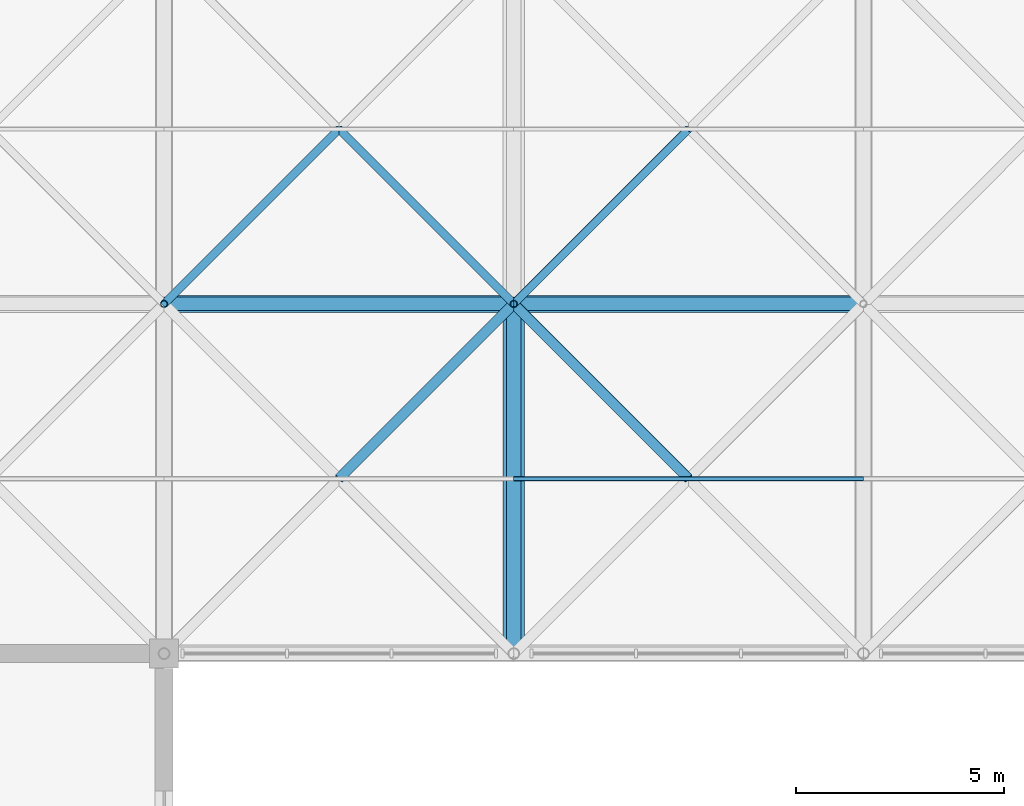
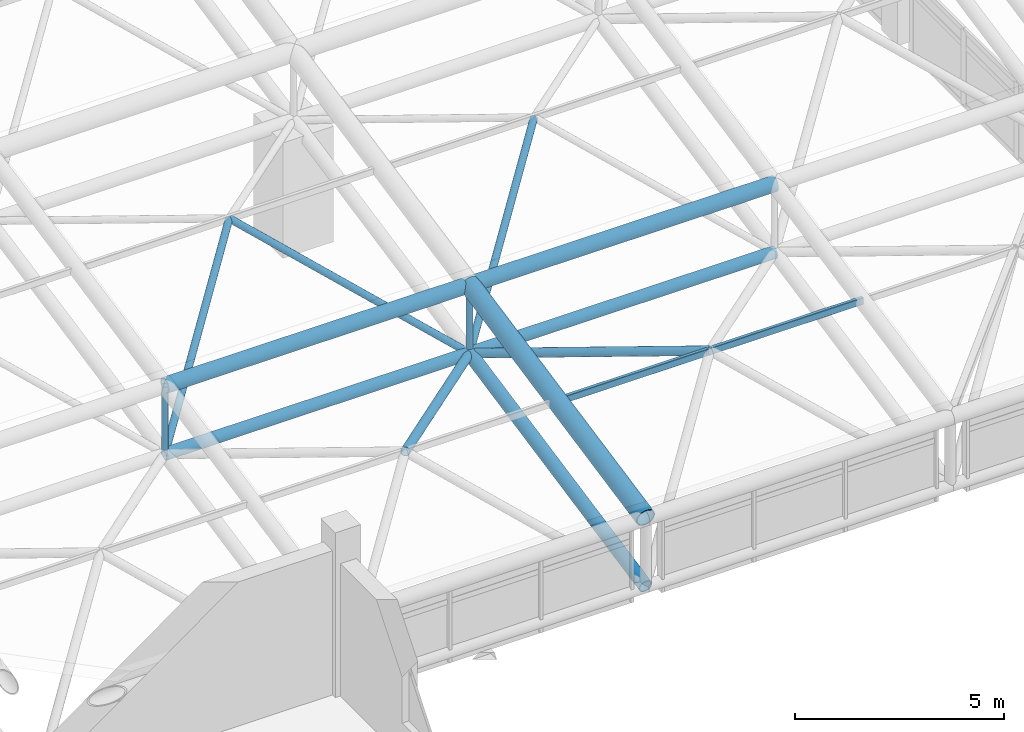
# One storey, part 34 of 110: 14 members.
"""IFC4 building model written with IfcOpenShell, lengths in metres."""

from ifc_helpers import new_model, si_unit, direction, frame, origin, origin_2d, place, context, subcontext, project, spatial, hollow_rectangle, hollow_circle, extrude, material, material_profile, profile_set, type_object, element, save


model = new_model("IFC4")

# Units and contexts
model_context = context("Model", 3, precision=1e-05, world=origin(), true_north=direction((0.0, 1.0)))
body_context = subcontext(model_context, "Body", "Model", "MODEL_VIEW")
ifc_project = project(units=[si_unit("LENGTHUNIT", "METRE"), si_unit("AREAUNIT", "SQUARE_METRE"), si_unit("VOLUMEUNIT", "CUBIC_METRE"), si_unit("PLANEANGLEUNIT", "RADIAN"), si_unit("MASSUNIT", "GRAM", prefix="KILO")], contexts=[model_context])

# Site, building, storey
site_placement = place(None, origin())
site = spatial("IfcSite", under=ifc_project, at=site_placement, CompositionType="ELEMENT")
building_placement = place(site_placement, origin())
building = spatial("IfcBuilding", under=site, at=building_placement, Name="Qawsi Khor Wholesale Market", CompositionType="ELEMENT")
storey_placement = place(building_placement, frame((0.0, 0.0, 11.39990234375)))
storey = spatial("IfcBuildingStorey", under=building, at=storey_placement, Name="L02", CompositionType="ELEMENT", Elevation=11.39990234375)

# Members
ifc_material = material(Name="Steel S355", Category="steel")
ifc_material_profile_1 = material_profile(ifc_material, hollow_circle(Radius=0.177734375, WallThickness=0.01611328125, at=origin_2d()), Name="CHS 355.6x16.0")
ifc_profile_set_1 = profile_set([ifc_material_profile_1], Name="Steel S355")
member_type_1 = type_object("IfcMemberType", Name="Space-Frame Bottom Chord CHS 355.6x16.0", PredefinedType="CHORD", material=ifc_profile_set_1)
member_1_placement = place(storey_placement, frame((201.60009765625, 42.0, -0.02978515625), z_axis=(0.0, 0.980129990483, 0.1983562496), x_axis=(-1.0, 0.0, 0.0)))
element("IfcMember", 1, at=member_1_placement, inside=storey, type_object=member_type_1, Name="Space frame bottom chord Y EH (24,5)", PredefinedType="CHORD", context=body_context, shape_type="SweptSolid", body=[
    extrude(hollow_circle(Radius=0.177734375, WallThickness=0.01611328125, at=origin_2d()), origin(), (0.0, 0.0, 1.0), 8.5703125),
])
ifc_material_profile_2 = material_profile(ifc_material, hollow_circle(Radius=0.122314453125, WallThickness=0.012451171875, at=origin_2d()), Name="CHS 244.5x12.5")
ifc_profile_set_2 = profile_set([ifc_material_profile_2], Name="Steel S355")
member_type_2 = type_object("IfcMemberType", Name="Space-Frame Heavy Diagonal CHS 244.5x12.5", PredefinedType="POST", material=ifc_profile_set_2)
member_2_placement = place(storey_placement, frame((201.60009765625, 50.39990234375, 1.670166015625), z_axis=(-0.694237619642, -0.694197266374, 0.19006389145), x_axis=(0.70708622964, -0.707127332136, 0.0)))
element("IfcMember", 2, at=member_2_placement, inside=storey, type_object=member_type_2, Name="Space frame diagonal EH (23,5)-3", PredefinedType="POST", context=body_context, shape_type="SweptSolid", body=[
    extrude(hollow_circle(Radius=0.122314453125, WallThickness=0.012451171875, at=origin_2d()), origin(), (0.0, 0.0, 1.0), 6.050048828125),
])
member_3_placement = place(storey_placement, frame((201.60009765625, 50.39990234375, 1.670166015625), z_axis=(0.694216714393, -0.694216714393, 0.190069216113), x_axis=(0.707106781187, 0.707106781187, 0.0)))
element("IfcMember", 3, at=member_3_placement, inside=storey, type_object=member_type_2, Name="Space frame diagonal EH (24,5)-4", PredefinedType="POST", context=body_context, shape_type="SweptSolid", body=[
    extrude(hollow_circle(Radius=0.122314453125, WallThickness=0.012451171875, at=origin_2d()), origin(), (0.0, 0.0, 1.0), 6.0498046875),
])
ifc_material_profile_3 = material_profile(ifc_material, hollow_circle(Radius=0.25390625, WallThickness=0.02490234375, at=origin_2d()), Name="CHS 508.0x25.0")
ifc_profile_set_3 = profile_set([ifc_material_profile_3], Name="Steel S355")
member_type_3 = type_object("IfcMemberType", Name="Space-Frame Main Chord CHS 508.0x25.0", PredefinedType="CHORD", material=ifc_profile_set_3)
member_4_placement = place(storey_placement, frame((201.60009765625, 42.0, 1.97021484375), z_axis=(0.0, 0.980129990483, 0.1983562496), x_axis=(-1.0, 0.0, 0.0)))
element("IfcMember", 4, at=member_4_placement, inside=storey, type_object=member_type_3, Name="Space frame top chord Y EH (24,5)", PredefinedType="CHORD", context=body_context, shape_type="SweptSolid", body=[
    extrude(hollow_circle(Radius=0.25390625, WallThickness=0.02490234375, at=origin_2d()), origin(), (0.0, 0.0, 1.0), 8.5703125),
])
ifc_material_profile_4 = material_profile(ifc_material, hollow_rectangle(XDim=0.10009765625, YDim=0.199951171875, WallThickness=0.008056640625, InnerFilletRadius=0.008056640625, OuterFilletRadius=0.01611328125, at=origin_2d()), Name="RHS 200x100x8.0")
ifc_profile_set_4 = profile_set([ifc_material_profile_4], Name="Steel S355")
member_type_4 = type_object("IfcMemberType", Name="Space-Frame Purlin RHS 200x100x8.0", PredefinedType="PURLIN", material=ifc_profile_set_4)
member_5_placement = place(storey_placement, frame((201.60009765625, 46.199951171875, 2.820068359375), z_axis=(1.0, 0.0, 0.0), x_axis=(0.0, 1.0, 0.0)))
element("IfcMember", 5, at=member_5_placement, inside=storey, type_object=member_type_4, Name="Space frame purlin EH (24,5)", PredefinedType="PURLIN", context=body_context, shape_type="SweptSolid", body=[
    extrude(hollow_rectangle(XDim=0.10009765625, YDim=0.199951171875, WallThickness=0.008056640625, InnerFilletRadius=0.008056640625, OuterFilletRadius=0.01611328125, at=origin_2d()), origin(), (0.0, 0.0, 1.0), 8.39990234375),
])
ifc_material_profile_5 = material_profile(ifc_material, hollow_circle(Radius=0.161865234375, WallThickness=0.01611328125, at=origin_2d()), Name="CHS 323.9x16.0")
ifc_profile_set_5 = profile_set([ifc_material_profile_5], Name="Steel S355")
member_type_5 = type_object("IfcMemberType", Name="Space-Frame Secondary Chord CHS 323.9x16.0", PredefinedType="CHORD", material=ifc_profile_set_5)
member_6_placement = place(storey_placement, frame((193.199951171875, 50.39990234375, 1.670166015625), z_axis=(1.0, 0.0, 0.0), x_axis=(0.0, 1.0, 0.0)))
element("IfcMember", 6, at=member_6_placement, inside=storey, type_object=member_type_5, Name="Space frame bottom chord X EH (23,6)", PredefinedType="CHORD", context=body_context, shape_type="SweptSolid", body=[
    extrude(hollow_circle(Radius=0.161865234375, WallThickness=0.01611328125, at=origin_2d()), origin(), (0.0, 0.0, 1.0), 8.400146484375),
])
member_7_placement = place(storey_placement, frame((201.60009765625, 50.39990234375, 1.670166015625), z_axis=(1.0, 0.0, 0.0), x_axis=(0.0, 1.0, 0.0)))
element("IfcMember", 7, at=member_7_placement, inside=storey, type_object=member_type_5, Name="Space frame bottom chord X EH (24,6)", PredefinedType="CHORD", context=body_context, shape_type="SweptSolid", body=[
    extrude(hollow_circle(Radius=0.161865234375, WallThickness=0.01611328125, at=origin_2d()), origin(), (0.0, 0.0, 1.0), 8.39990234375),
])
ifc_material_profile_6 = material_profile(ifc_material, hollow_circle(Radius=0.096923828125, WallThickness=0.008056640625, at=origin_2d()), Name="CHS 193.7x8.0")
ifc_profile_set_6 = profile_set([ifc_material_profile_6], Name="Steel S355")
member_type_6 = type_object("IfcMemberType", Name="Space-Frame Secondary Diagonal CHS 193.7x8.0", PredefinedType="RAFTER", material=ifc_profile_set_6)
for number, where, z_axis, x_axis, name in (
    (8, (193.199951171875, 50.39990234375, 1.670166015625), (0.637506899628, 0.637543957519, 0.432576762155), (-0.707127332136, 0.70708622964, 0.0), "Space frame diagonal EH (23,6)-1"),
    (9, (201.60009765625, 50.39990234375, 1.670166015625), (-0.637528895855, 0.637528895855, 0.432566542741), (-0.707106781187, -0.707106781187, 0.0), "Space frame diagonal EH (23,6)-2"),
    (10, (201.60009765625, 50.39990234375, 1.670166015625), (0.637506899628, 0.637543957519, 0.432576762155), (-0.707127332136, 0.70708622964, 0.0), "Space frame diagonal EH (24,6)-1"),
):
    element("IfcMember", number, at=place(storey_placement, frame(where, z_axis=z_axis, x_axis=x_axis)), inside=storey, type_object=member_type_6, Name=name, PredefinedType="RAFTER", context=body_context, shape_type="SweptSolid", body=[
        extrude(hollow_circle(Radius=0.096923828125, WallThickness=0.008056640625, at=origin_2d()), origin(), (0.0, 0.0, 1.0), 6.588134765625),
    ])
ifc_material_profile_7 = material_profile(ifc_material, hollow_circle(Radius=0.203125, WallThickness=0.02001953125, at=origin_2d()), Name="CHS 406.4x20.0")
ifc_profile_set_7 = profile_set([ifc_material_profile_7], Name="Steel S355")
member_type_7 = type_object("IfcMemberType", Name="Space-Frame Top Chord CHS 406.4x20.0", PredefinedType="CHORD", material=ifc_profile_set_7)
member_8_placement = place(storey_placement, frame((193.199951171875, 50.39990234375, 3.670166015625), z_axis=(1.0, 0.0, 0.0), x_axis=(0.0, 1.0, 0.0)))
element("IfcMember", 11, at=member_8_placement, inside=storey, type_object=member_type_7, Name="Space frame top chord X EH (23,6)", PredefinedType="CHORD", context=body_context, shape_type="SweptSolid", body=[
    extrude(hollow_circle(Radius=0.203125, WallThickness=0.02001953125, at=origin_2d()), origin(), (0.0, 0.0, 1.0), 8.400146484375),
])
member_9_placement = place(storey_placement, frame((201.60009765625, 50.39990234375, 3.670166015625), z_axis=(1.0, 0.0, 0.0), x_axis=(0.0, 1.0, 0.0)))
element("IfcMember", 12, at=member_9_placement, inside=storey, type_object=member_type_7, Name="Space frame top chord X EH (24,6)", PredefinedType="CHORD", context=body_context, shape_type="SweptSolid", body=[
    extrude(hollow_circle(Radius=0.203125, WallThickness=0.02001953125, at=origin_2d()), origin(), (0.0, 0.0, 1.0), 8.39990234375),
])
ifc_material_profile_8 = material_profile(ifc_material, hollow_circle(Radius=0.084228515625, WallThickness=0.008056640625, at=origin_2d()), Name="CHS 168.3x8.0")
ifc_profile_set_8 = profile_set([ifc_material_profile_8], Name="Steel S355")
member_type_8 = type_object("IfcMemberType", Name="Space-Frame Vertical Strut CHS 168.3x8.0", PredefinedType="STRUT", material=ifc_profile_set_8)
for number, where, z_axis, x_axis, name in (
    (13, (193.199951171875, 50.39990234375, 1.670166015625), (0.0, 0.0, 1.0), (1.0, 0.0, 0.0), "Space frame post EH (23,6)"),
    (14, (201.60009765625, 50.39990234375, 1.670166015625), (0.0, 0.0, 1.0), (1.0, 0.0, 0.0), "Space frame post EH (24,6)"),
):
    element("IfcMember", number, at=place(storey_placement, frame(where, z_axis=z_axis, x_axis=x_axis)), inside=storey, type_object=member_type_8, Name=name, PredefinedType="STRUT", context=body_context, shape_type="SweptSolid", body=[
        extrude(hollow_circle(Radius=0.084228515625, WallThickness=0.008056640625, at=origin_2d()), origin(), (0.0, 0.0, 1.0), 2.0),
    ])

save(model, "model.ifc")
